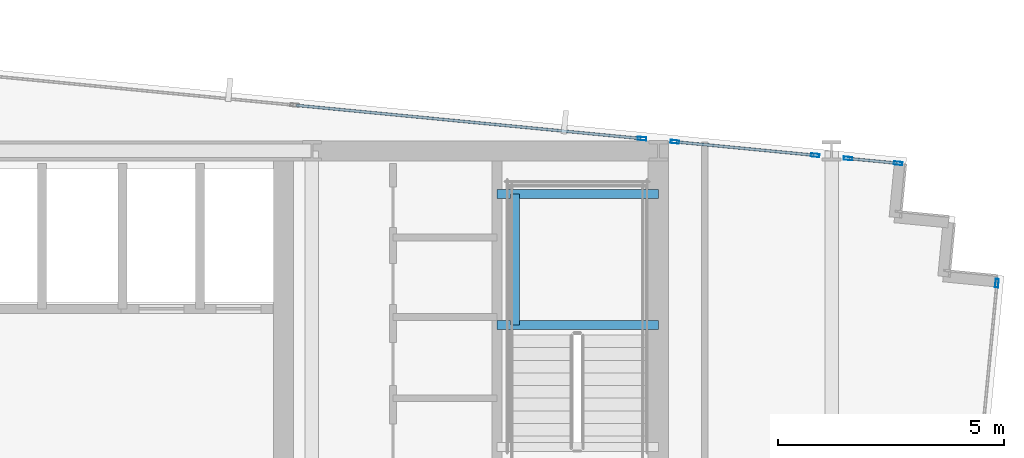
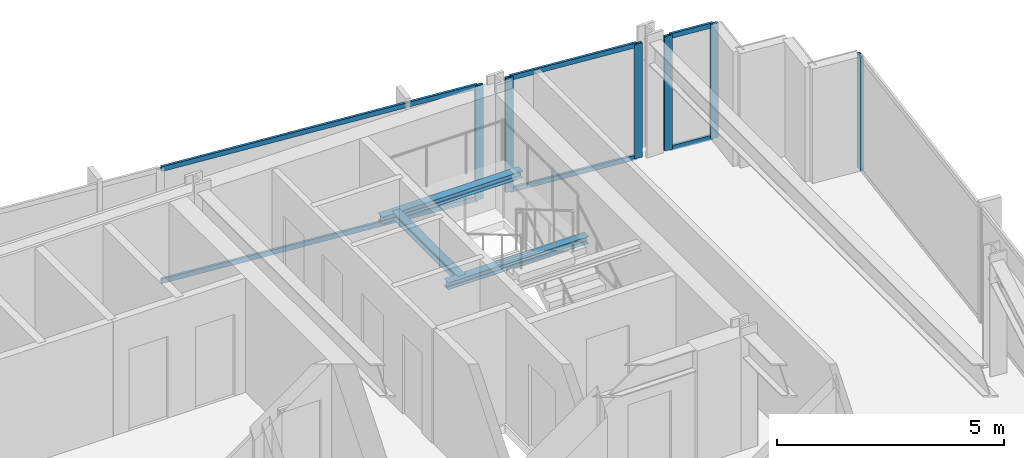
# One storey, part 27 of 37: 12 members, 3 beams, 4 elements without a shape of their own.
"""IFC4 building model written with IfcOpenShell, lengths in metres."""

from ifc_helpers import new_model, si_unit, direction, frame, origin, origin_2d, place, context, subcontext, project, spatial, hollow_rectangle, i_section, extrude, material, material_profile, profile_set, type_object, element, aggregate, save


model = new_model("IFC4")

# Units and contexts
model_context = context("Model", 3, precision=1e-05, world=origin(), true_north=direction((0.0, 1.0)))
body_context = subcontext(model_context, "Body", "Model", "MODEL_VIEW")
ifc_project = project(units=[si_unit("LENGTHUNIT", "METRE"), si_unit("AREAUNIT", "SQUARE_METRE"), si_unit("VOLUMEUNIT", "CUBIC_METRE"), si_unit("PLANEANGLEUNIT", "RADIAN"), si_unit("MASSUNIT", "GRAM", prefix="KILO")], contexts=[model_context])

# Site, building, storey
site_placement = place(None, origin())
site = spatial("IfcSite", under=ifc_project, at=site_placement, CompositionType="ELEMENT")
building_placement = place(site_placement, origin())
building = spatial("IfcBuilding", under=site, at=building_placement, Name="Yelkora Congress Tower", CompositionType="ELEMENT")
storey_placement = place(building_placement, frame((0.0, 0.0, 158.89990234375)))
storey = spatial("IfcBuildingStorey", under=building, at=storey_placement, Name="L43", CompositionType="ELEMENT", Elevation=158.89990234375)

# Beams
ifc_material_1 = material(Name="Steel S355J2", Category="steel")
ifc_material_profile_1 = material_profile(ifc_material_1, i_section(OverallWidth=0.199951171875, OverallDepth=0.18994140625, WebThickness=0.006591796875, FlangeThickness=0.010009765625, FilletRadius=0.01806640625, at=origin_2d()), Name="HEA 200")
ifc_profile_set_1 = profile_set([ifc_material_profile_1], Name="Steel S355J2")
beam_type = type_object("IfcBeamType", Name="BM-LAND-HEA200", PredefinedType="BEAM", material=ifc_profile_set_1)
for number, where, z_axis, x_axis, name in (
    (1, (50.179931640625, 42.340087890625, 1.334716796875), (1.0, 0.0, 0.0), (0.0, 1.0, 0.0), "ST-02 L43 Landing Header Beam 1S"),
    (2, (50.179931640625, 45.25, 1.334716796875), (1.0, 0.0, 0.0), (0.0, 1.0, 0.0), "ST-02 L43 Landing Header Beam 1N"),
):
    element("IfcBeam", number, at=place(storey_placement, frame(where, z_axis=z_axis, x_axis=x_axis)), inside=storey, type_object=beam_type, Name=name, PredefinedType="BEAM", context=body_context, shape_type="SweptSolid", body=[
        extrude(i_section(OverallWidth=0.199951171875, OverallDepth=0.18994140625, WebThickness=0.006591796875, FlangeThickness=0.010009765625, FilletRadius=0.01806640625, at=origin_2d()), origin(), (0.0, 0.0, 1.0), 3.580078125),
    ])
beam_placement = place(storey_placement, frame((50.580078125, 42.340087890625, 1.334716796875), z_axis=(0.0, 1.0, 0.0), x_axis=(-1.0, 0.0, 0.0)))
element("IfcBeam", 3, at=beam_placement, inside=storey, type_object=beam_type, Name="ST-02 L43 Landing Trimmer Beam 1M", PredefinedType="BEAM", context=body_context, shape_type="SweptSolid", body=[
    extrude(i_section(OverallWidth=0.199951171875, OverallDepth=0.18994140625, WebThickness=0.006591796875, FlangeThickness=0.010009765625, FilletRadius=0.01806640625, at=origin_2d()), origin(), (0.0, 0.0, 1.0), 2.909912109375),
])

# Curtain wall, member
ifc_material_2 = material(Name="Anodised aluminium and insulated glass", Category="aluminium")
curtain_wall_type = type_object("IfcCurtainWallType", Name="CW-SYS-B3", PredefinedType="NOTDEFINED", material=ifc_material_2)
curtain_wall_1_placement = place(storey_placement, origin())
curtain_wall_1 = element("IfcCurtainWall", 4, at=curtain_wall_1_placement, inside=storey, type_object=curtain_wall_type, Name="L43 Unitised Curtain Wall 10 (1)", PredefinedType="NOTDEFINED")
ifc_material_3 = material(Name="Anodised aluminium 6063-T6", Category="aluminium")
ifc_material_profile_2 = material_profile(ifc_material_3, hollow_rectangle(XDim=0.070068359375, YDim=0.18994140625, WallThickness=0.00390625, at=origin_2d()), Name="ALU 70x190x4")
ifc_profile_set_2 = profile_set([ifc_material_profile_2], Name="Anodised aluminium 6063-T6")
member_type_1 = type_object("IfcMemberType", Name="MEM-ML-B3", PredefinedType="MULLION", material=ifc_profile_set_2)
member_1_placement = place(storey_placement, frame((53.396240234375, 46.47314453125, 0.0), z_axis=(0.0, 0.0, 1.0), x_axis=(0.095844761168, 0.995396293823, 0.0)))
member_1 = element("IfcMember", 5, at=member_1_placement, type_object=member_type_1, Name="CW-B3 mullion 7", PredefinedType="MULLION", context=body_context, shape_type="SweptSolid", body=[
    extrude(hollow_rectangle(XDim=0.070068359375, YDim=0.18994140625, WallThickness=0.00390625, at=origin_2d()), origin(), (0.0, 0.0, 1.0), 3.080078125),
])

# Curtain wall, members
curtain_wall_2_placement = place(storey_placement, origin())
curtain_wall_2 = element("IfcCurtainWall", 6, at=curtain_wall_2_placement, inside=storey, type_object=curtain_wall_type, Name="L43 Unitised Curtain Wall 10 (2)", PredefinedType="NOTDEFINED")
member_2_placement = place(storey_placement, frame((54.123779296875, 46.40283203125, 0.0), z_axis=(0.0, 0.0, 1.0), x_axis=(0.095848309157, 0.995395952188, 0.0)))
member_2 = element("IfcMember", 7, at=member_2_placement, type_object=member_type_1, Name="CW-B3 mullion 1", PredefinedType="MULLION", context=body_context, shape_type="SweptSolid", body=[
    extrude(hollow_rectangle(XDim=0.070068359375, YDim=0.18994140625, WallThickness=0.00390625, at=origin_2d()), origin(), (0.0, 0.0, 1.0), 3.080078125),
])
member_3_placement = place(storey_placement, frame((57.236083984375, 46.103271484375, 0.0), z_axis=(0.0, 0.0, 1.0), x_axis=(0.095848309157, 0.995395952188, 0.0)))
member_3 = element("IfcMember", 8, at=member_3_placement, type_object=member_type_1, Name="CW-B3 mullion 2", PredefinedType="MULLION", context=body_context, shape_type="SweptSolid", body=[
    extrude(hollow_rectangle(XDim=0.070068359375, YDim=0.18994140625, WallThickness=0.00390625, at=origin_2d()), origin(), (0.0, 0.0, 1.0), 3.080078125),
])

curtain_wall_3_placement = place(storey_placement, origin())
curtain_wall_3 = element("IfcCurtainWall", 9, at=curtain_wall_3_placement, inside=storey, type_object=curtain_wall_type, Name="L43 Unitised Curtain Wall 10 (3)", PredefinedType="NOTDEFINED")
member_4_placement = place(storey_placement, frame((57.9638671875, 46.033203125, 0.0), z_axis=(0.0, 0.0, 1.0), x_axis=(0.095852281686, 0.995395569658, 0.0)))
member_4 = element("IfcMember", 10, at=member_4_placement, type_object=member_type_1, Name="CW-B3 mullion 1", PredefinedType="MULLION", context=body_context, shape_type="SweptSolid", body=[
    extrude(hollow_rectangle(XDim=0.070068359375, YDim=0.18994140625, WallThickness=0.00390625, at=origin_2d()), origin(), (0.0, 0.0, 1.0), 3.080078125),
])
member_5_placement = place(storey_placement, frame((59.073974609375, 45.92626953125, 0.0), z_axis=(0.0, 0.0, 1.0), x_axis=(0.095852281686, 0.995395569658, 0.0)))
member_5 = element("IfcMember", 11, at=member_5_placement, type_object=member_type_1, Name="CW-B3 mullion 2", PredefinedType="MULLION", context=body_context, shape_type="SweptSolid", body=[
    extrude(hollow_rectangle(XDim=0.070068359375, YDim=0.18994140625, WallThickness=0.00390625, at=origin_2d()), origin(), (0.0, 0.0, 1.0), 3.080078125),
])

# Curtain wall, member
curtain_wall_4_placement = place(storey_placement, origin())
curtain_wall_4 = element("IfcCurtainWall", 12, at=curtain_wall_4_placement, inside=storey, type_object=curtain_wall_type, Name="L43 Unitised Curtain Wall 15", PredefinedType="NOTDEFINED")
member_6_placement = place(storey_placement, frame((61.26416015625, 43.26904296875, 0.0), z_axis=(0.0, 0.0, 1.0), x_axis=(0.995396565076, -0.095841944023, 0.0)))
member_6 = element("IfcMember", 13, at=member_6_placement, type_object=member_type_1, Name="CW-B3 mullion 1", PredefinedType="MULLION", context=body_context, shape_type="SweptSolid", body=[
    extrude(hollow_rectangle(XDim=0.070068359375, YDim=0.18994140625, WallThickness=0.00390625, at=origin_2d()), origin(), (0.0, 0.0, 1.0), 3.080078125),
])
aggregate(curtain_wall_4, [member_6])

# Member
ifc_material_profile_3 = material_profile(ifc_material_3, hollow_rectangle(XDim=0.06005859375, YDim=0.1298828125, WallThickness=0.00390625, at=origin_2d()), Name="ALU 60x130x4")
ifc_profile_set_3 = profile_set([ifc_material_profile_3], Name="Anodised aluminium 6063-T6")
member_type_2 = type_object("IfcMemberType", Name="MEM-TR-B3", PredefinedType="USERDEFINED", material=ifc_profile_set_3)
member_7_placement = place(storey_placement, frame((45.732177734375, 47.2109375, 0.030029296875), z_axis=(0.99539600529, -0.095847757686, 0.0), x_axis=(0.095847757686, 0.99539600529, 0.0)))
member_7 = element("IfcMember", 14, at=member_7_placement, type_object=member_type_2, Name="CW-B3 transom 6.1", ObjectType="TRANSOM", PredefinedType="USERDEFINED", context=body_context, shape_type="SweptSolid", body=[
    extrude(hollow_rectangle(XDim=0.06005859375, YDim=0.1298828125, WallThickness=0.00390625, at=origin_2d()), origin(), (0.0, 0.0, 1.0), 7.66455078125),
])

member_8_placement = place(storey_placement, frame((45.732177734375, 47.2109375, 3.050048828125), z_axis=(0.99539600529, -0.095847757686, 0.0), x_axis=(0.095847757686, 0.99539600529, 0.0)))
member_8 = element("IfcMember", 15, at=member_8_placement, type_object=member_type_2, Name="CW-B3 transom 6.2", ObjectType="TRANSOM", PredefinedType="USERDEFINED", context=body_context, shape_type="SweptSolid", body=[
    extrude(hollow_rectangle(XDim=0.06005859375, YDim=0.1298828125, WallThickness=0.00390625, at=origin_2d()), origin(), (0.0, 0.0, 1.0), 7.66455078125),
])

aggregate(curtain_wall_1, [member_1, member_7, member_8])

member_9_placement = place(storey_placement, frame((54.15869140625, 46.399658203125, 0.030029296875), z_axis=(0.995396582455, -0.095841763536, 0.0), x_axis=(0.095841763536, 0.995396582455, 0.0)))
member_9 = element("IfcMember", 16, at=member_9_placement, type_object=member_type_2, Name="CW-B3 transom 1.1", ObjectType="TRANSOM", PredefinedType="USERDEFINED", context=body_context, shape_type="SweptSolid", body=[
    extrude(hollow_rectangle(XDim=0.06005859375, YDim=0.1298828125, WallThickness=0.00390625, at=origin_2d()), origin(), (0.0, 0.0, 1.0), 3.056884765625),
])

member_10_placement = place(storey_placement, frame((54.15869140625, 46.399658203125, 3.050048828125), z_axis=(0.995396582455, -0.095841763536, 0.0), x_axis=(0.095841763536, 0.995396582455, 0.0)))
member_10 = element("IfcMember", 17, at=member_10_placement, type_object=member_type_2, Name="CW-B3 transom 1.2", ObjectType="TRANSOM", PredefinedType="USERDEFINED", context=body_context, shape_type="SweptSolid", body=[
    extrude(hollow_rectangle(XDim=0.06005859375, YDim=0.1298828125, WallThickness=0.00390625, at=origin_2d()), origin(), (0.0, 0.0, 1.0), 3.056884765625),
])

aggregate(curtain_wall_2, [member_2, member_3, member_9, member_10])

member_11_placement = place(storey_placement, frame((57.998779296875, 46.02978515625, 0.030029296875), z_axis=(0.995402606714, -0.095779175957, 0.0), x_axis=(0.095779175957, 0.995402606714, 0.0)))
member_11 = element("IfcMember", 18, at=member_11_placement, type_object=member_type_2, Name="CW-B3 transom 1.1", ObjectType="TRANSOM", PredefinedType="USERDEFINED", context=body_context, shape_type="SweptSolid", body=[
    extrude(hollow_rectangle(XDim=0.06005859375, YDim=0.1298828125, WallThickness=0.00390625, at=origin_2d()), origin(), (0.0, 0.0, 1.0), 1.045166015625),
])

member_12_placement = place(storey_placement, frame((57.998779296875, 46.02978515625, 3.050048828125), z_axis=(0.995402606714, -0.095779175957, 0.0), x_axis=(0.095779175957, 0.995402606714, 0.0)))
member_12 = element("IfcMember", 19, at=member_12_placement, type_object=member_type_2, Name="CW-B3 transom 1.2", ObjectType="TRANSOM", PredefinedType="USERDEFINED", context=body_context, shape_type="SweptSolid", body=[
    extrude(hollow_rectangle(XDim=0.06005859375, YDim=0.1298828125, WallThickness=0.00390625, at=origin_2d()), origin(), (0.0, 0.0, 1.0), 1.045166015625),
])

aggregate(curtain_wall_3, [member_4, member_5, member_11, member_12])

save(model, "model.ifc")
